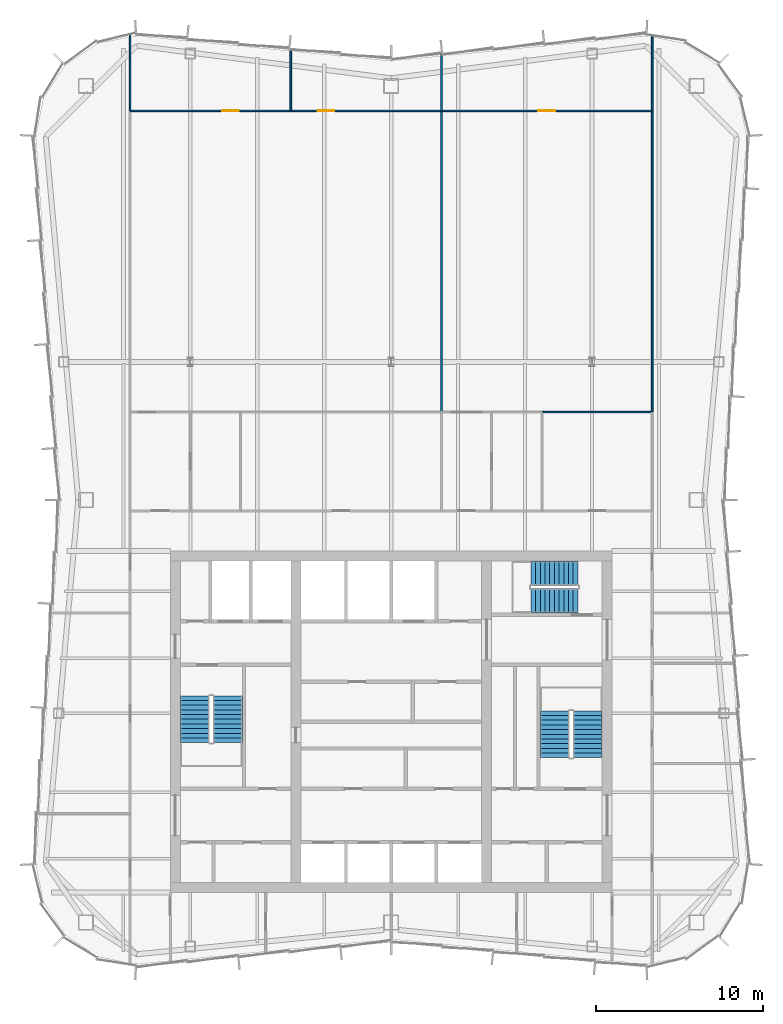
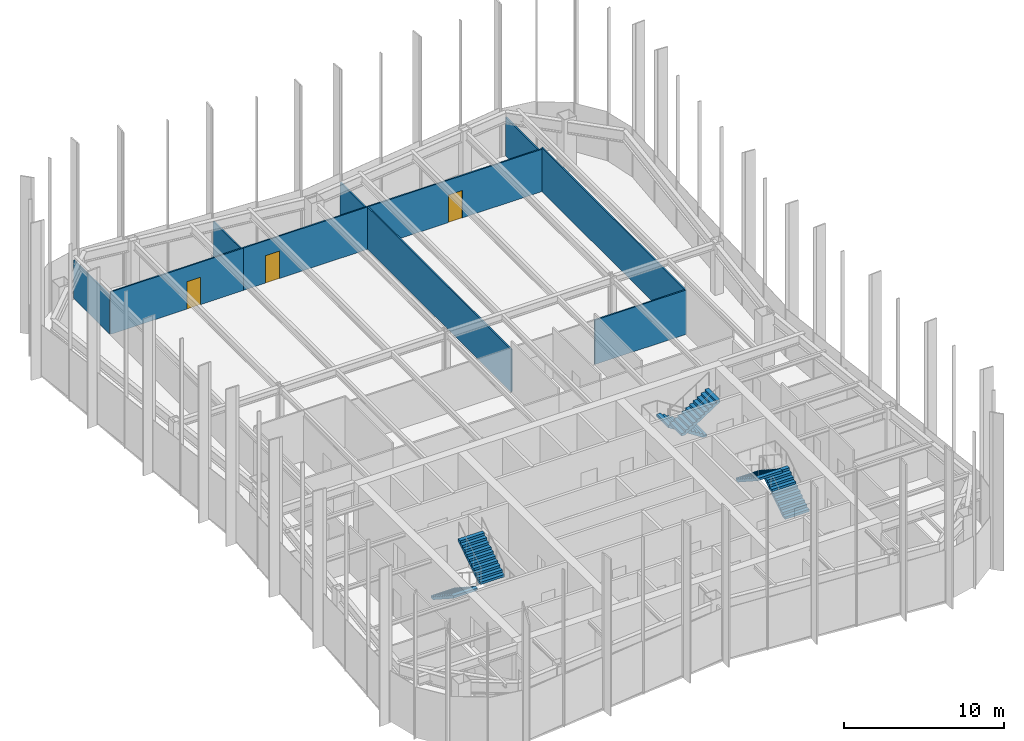
# One storey, part 12 of 13: 10 walls, 6 stair flights, 3 doors, 3 openings, 3 elements without a shape of their own.
"""IFC4 building model written with IfcOpenShell, lengths in metres."""

from ifc_helpers import new_model, si_unit, direction, frame, frame_2d, origin, place, context, subcontext, project, spatial, polyline, rectangle, outline, extrude, material, layer, layer_set, type_object, element, fill, aggregate, save


model = new_model("IFC4")

# Units and contexts
model_context = context("Model", 3, precision=1e-05, world=origin(), true_north=direction((0.0, 1.0)))
body_context = subcontext(model_context, "Body", "Model", "MODEL_VIEW")
ifc_project = project(units=[si_unit("LENGTHUNIT", "METRE"), si_unit("AREAUNIT", "SQUARE_METRE"), si_unit("VOLUMEUNIT", "CUBIC_METRE"), si_unit("PLANEANGLEUNIT", "RADIAN"), si_unit("MASSUNIT", "GRAM", prefix="KILO")], contexts=[model_context])

# Site, building, storey
site_placement = place(None, origin())
site = spatial("IfcSite", under=ifc_project, at=site_placement, CompositionType="ELEMENT")
building_placement = place(site_placement, origin())
building = spatial("IfcBuilding", under=site, at=building_placement, Name="Verdant Reach Tower", CompositionType="ELEMENT")
storey_placement = place(building_placement, frame((0.0, 0.0, 294.0)))
storey = spatial("IfcBuildingStorey", under=building, at=storey_placement, Name="L67", CompositionType="ELEMENT", Elevation=294.0)

# Walls
ifc_material_1 = material(Name="Gypsum board on steel studs", Category="steel")
ifc_layer = layer(ifc_material_1, 0.10009765625)
ifc_layer_set = layer_set([ifc_layer], Name="FL-W1 Partition 100")
wall_type = type_object("IfcWallType", Name="FL-W1 Partition 100", PredefinedType="PARTITIONING", material=ifc_layer_set)
wall_1_placement = place(storey_placement, frame((-15.60009765625, 64.5, 0.0), z_axis=(0.0, 0.0, 1.0), x_axis=(0.0, 1.0, 0.0)))
element("IfcWall", 1, at=wall_1_placement, inside=storey, type_object=wall_type, Name="Partition 67.21", PredefinedType="PARTITIONING", context=body_context, shape_type="SweptSolid", body=[
    extrude(rectangle(XDim=4.510498046875, YDim=0.10009765625, at=frame_2d((2.25537109375, 0.0))), origin(), (0.0, 0.0, 1.0), 2.929931640625),
])
wall_2_placement = place(storey_placement, frame((15.60009765625, 64.5, 0.0), z_axis=(0.0, 0.0, 1.0), x_axis=(0.0, -1.0, 0.0)))
element("IfcWall", 2, at=wall_2_placement, inside=storey, type_object=wall_type, Name="Partition 67.27", PredefinedType="PARTITIONING", context=body_context, shape_type="SweptSolid", body=[
    extrude(rectangle(XDim=18.0, YDim=0.10009765625, at=frame_2d((9.0, 0.0))), origin(), (0.0, 0.0, 1.0), 3.35009765625),
])
wall_3_placement = place(storey_placement, frame((15.60009765625, 69.010498046875, 0.0), z_axis=(0.0, 0.0, 1.0), x_axis=(0.0, -1.0, 0.0)))
element("IfcWall", 3, at=wall_3_placement, inside=storey, type_object=wall_type, Name="Partition 67.28", PredefinedType="PARTITIONING", context=body_context, shape_type="SweptSolid", body=[
    extrude(rectangle(XDim=4.510498046875, YDim=0.10009765625, at=frame_2d((2.25537109375, 0.0))), origin(), (0.0, 0.0, 1.0), 2.929931640625),
])

# Wall, opening, door
wall_4_placement = place(storey_placement, frame((-15.60009765625, 64.5, 0.0), z_axis=(0.0, 0.0, 1.0), x_axis=(1.0, 0.0, 0.0)))
wall_4 = element("IfcWall", 4, at=wall_4_placement, inside=storey, type_object=wall_type, Name="Partition 67.38", PredefinedType="PARTITIONING", context=body_context, shape_type="SweptSolid", body=[
    extrude(rectangle(XDim=9.60009765625, YDim=0.10009765625, at=frame_2d((4.800048828125, 0.0))), origin(), (0.0, 0.0, 1.0), 3.239990234375),
])
opening_1_placement = place(wall_4_placement, frame((5.5, 0.0, 0.0)))
opening_1 = element("IfcOpeningElement", 5, at=opening_1_placement, cuts=wall_4, Name="Opening D3", PredefinedType="OPENING", context=body_context, shape_type="SweptSolid", body=[
    extrude(rectangle(XDim=1.0, YDim=2.10009765625, at=frame_2d((0.5, 1.050048828125))), frame((0.0, 0.06005859375, 0.0), z_axis=(0.0, -1.0, 0.0), x_axis=(1.0, 0.0, 0.0)), (0.0, 0.0, 1.0), 0.1201171875),
])
ifc_material_2 = material(Name="Painted timber door leaf", Category="wood")
door_type = type_object("IfcDoorType", Name="FL-D3 Door 1000x2100", OperationType="NOTDEFINED", PredefinedType="DOOR", material=ifc_material_2)
door_1_placement = place(opening_1_placement, origin())
door_1 = element("IfcDoor", 6, at=door_1_placement, inside=storey, type_object=door_type, Name="Door 67-019", OperationType="SINGLE_SWING_RIGHT", OverallHeight=2.10009765625, OverallWidth=1.0, PredefinedType="DOOR", context=body_context, shape_type="SweptSolid", body=[
    extrude(rectangle(XDim=1.0, YDim=2.10009765625, at=frame_2d((0.5, 1.050048828125))), frame((0.0, 0.02490234375, 0.0), z_axis=(0.0, -1.0, 0.0), x_axis=(1.0, 0.0, 0.0)), (0.0, 0.0, 1.0), 0.050048828125),
])
fill(opening_1, door_1)

wall_5_placement = place(storey_placement, frame((-6.0, 64.5, 0.0), z_axis=(0.0, 0.0, 1.0), x_axis=(1.0, 0.0, 0.0)))
wall_5 = element("IfcWall", 7, at=wall_5_placement, inside=storey, type_object=wall_type, Name="Partition 67.39", PredefinedType="PARTITIONING", context=body_context, shape_type="SweptSolid", body=[
    extrude(rectangle(XDim=9.0, YDim=0.10009765625, at=frame_2d((4.5, 0.0))), origin(), (0.0, 0.0, 1.0), 3.239990234375),
])
opening_2_placement = place(wall_5_placement, frame((1.60009765625, 0.0, 0.0)))
opening_2 = element("IfcOpeningElement", 8, at=opening_2_placement, cuts=wall_5, Name="Opening D3", PredefinedType="OPENING", context=body_context, shape_type="SweptSolid", body=[
    extrude(rectangle(XDim=1.0, YDim=2.10009765625, at=frame_2d((0.5, 1.050048828125))), frame((0.0, 0.06005859375, 0.0), z_axis=(0.0, -1.0, 0.0), x_axis=(1.0, 0.0, 0.0)), (0.0, 0.0, 1.0), 0.1201171875),
])
door_2_placement = place(opening_2_placement, origin())
door_2 = element("IfcDoor", 9, at=door_2_placement, inside=storey, type_object=door_type, Name="Door 67-020", OperationType="SINGLE_SWING_LEFT", OverallHeight=2.10009765625, OverallWidth=1.0, PredefinedType="DOOR", context=body_context, shape_type="SweptSolid", body=[
    extrude(rectangle(XDim=1.0, YDim=2.10009765625, at=frame_2d((0.5, 1.050048828125))), frame((0.0, 0.02490234375, 0.0), z_axis=(0.0, -1.0, 0.0), x_axis=(1.0, 0.0, 0.0)), (0.0, 0.0, 1.0), 0.050048828125),
])
fill(opening_2, door_2)

# Walls
wall_6_placement = place(storey_placement, frame((3.0, 46.5, 0.0), z_axis=(0.0, 0.0, 1.0), x_axis=(0.0, 1.0, 0.0)))
element("IfcWall", 10, at=wall_6_placement, inside=storey, type_object=wall_type, Name="Partition 67.40", PredefinedType="PARTITIONING", context=body_context, shape_type="SweptSolid", body=[
    extrude(rectangle(XDim=18.0, YDim=0.10009765625, at=frame_2d((9.0, 0.0))), origin(), (0.0, 0.0, 1.0), 3.239990234375),
])
wall_7_placement = place(storey_placement, frame((-6.0, 64.5, 0.0), z_axis=(0.0, 0.0, 1.0), x_axis=(0.0, 1.0, 0.0)))
element("IfcWall", 11, at=wall_7_placement, inside=storey, type_object=wall_type, Name="Partition 67.41", PredefinedType="PARTITIONING", context=body_context, shape_type="SweptSolid", body=[
    extrude(rectangle(XDim=3.670166015625, YDim=0.10009765625, at=frame_2d((1.8349609375, 0.0))), origin(), (0.0, 0.0, 1.0), 3.0400390625),
])
wall_8_placement = place(storey_placement, frame((3.0, 64.5, 0.0), z_axis=(0.0, 0.0, 1.0), x_axis=(0.0, 1.0, 0.0)))
element("IfcWall", 12, at=wall_8_placement, inside=storey, type_object=wall_type, Name="Partition 67.42", PredefinedType="PARTITIONING", context=body_context, shape_type="SweptSolid", body=[
    extrude(rectangle(XDim=3.375, YDim=0.10009765625, at=frame_2d((1.6875, 0.0))), origin(), (0.0, 0.0, 1.0), 3.0400390625),
])
wall_9_placement = place(storey_placement, frame((15.60009765625, 46.5, 0.0), z_axis=(0.0, 0.0, 1.0), x_axis=(-1.0, 0.0, 0.0)))
element("IfcWall", 13, at=wall_9_placement, inside=storey, type_object=wall_type, Name="Partition 67.47", PredefinedType="PARTITIONING", context=body_context, shape_type="SweptSolid", body=[
    extrude(rectangle(XDim=6.60400390625, YDim=0.10009765625, at=frame_2d((3.302001953125, 0.0))), origin(), (0.0, 0.0, 1.0), 3.389892578125),
])

# Wall, opening, door
wall_10_placement = place(storey_placement, frame((3.0, 64.5, 0.0), z_axis=(0.0, 0.0, 1.0), x_axis=(1.0, 0.0, 0.0)))
wall_10 = element("IfcWall", 14, at=wall_10_placement, inside=storey, type_object=wall_type, Name="Partition 67.48", PredefinedType="PARTITIONING", context=body_context, shape_type="SweptSolid", body=[
    extrude(rectangle(XDim=12.60009765625, YDim=0.10009765625, at=frame_2d((6.300048828125, 0.0))), origin(), (0.0, 0.0, 1.0), 3.239990234375),
])
opening_3_placement = place(wall_10_placement, frame((5.800048828125, 0.0, 0.0)))
opening_3 = element("IfcOpeningElement", 15, at=opening_3_placement, cuts=wall_10, Name="Opening D3", PredefinedType="OPENING", context=body_context, shape_type="SweptSolid", body=[
    extrude(rectangle(XDim=1.0, YDim=2.10009765625, at=frame_2d((0.5, 1.050048828125))), frame((0.0, 0.06005859375, 0.0), z_axis=(0.0, -1.0, 0.0), x_axis=(1.0, 0.0, 0.0)), (0.0, 0.0, 1.0), 0.1201171875),
])
door_3_placement = place(opening_3_placement, origin())
door_3 = element("IfcDoor", 16, at=door_3_placement, inside=storey, type_object=door_type, Name="Door 67-023", OperationType="SINGLE_SWING_LEFT", OverallHeight=2.10009765625, OverallWidth=1.0, PredefinedType="DOOR", context=body_context, shape_type="SweptSolid", body=[
    extrude(rectangle(XDim=1.0, YDim=2.10009765625, at=frame_2d((0.5, 1.050048828125))), frame((0.0, 0.02490234375, 0.0), z_axis=(0.0, -1.0, 0.0), x_axis=(1.0, 0.0, 0.0)), (0.0, 0.0, 1.0), 0.050048828125),
])
fill(opening_3, door_3)

# Stair, stair flights
ifc_material_3 = material(Name="Concrete C40/50", Category="concrete")
stair_type = type_object("IfcStairType", Name="CO-STAIR", PredefinedType="HALF_TURN_STAIR", material=ifc_material_3)
stair_1_placement = place(storey_placement, origin())
stair_1 = element("IfcStair", 17, at=stair_1_placement, inside=storey, type_object=stair_type, Name="L67 Exit stair 1", PredefinedType="HALF_TURN_STAIR")
stair_flight_type = type_object("IfcStairFlightType", Name="CO-STAIR-FLIGHT", PredefinedType="STRAIGHT", material=ifc_material_3)
stair_flight_1_placement = place(storey_placement, frame((-11.72509765625, 29.550048828125, 0.0), z_axis=(0.0, 0.0, 1.0), x_axis=(0.0, -1.0, 0.0)))
stair_flight_1 = element("IfcStairFlight", 18, at=stair_flight_1_placement, type_object=stair_flight_type, Name="ST-1 flight 1", NumberOfRisers=11, NumberOfTreads=10, PredefinedType="STRAIGHT", RiserHeight=0.181818182, TreadLength=0.28, context=body_context, shape_type="SweptSolid", body=[
    extrude(outline(polyline([(0.0, 0.0), (0.0, 0.181884765625), (0.280029296875, 0.181884765625), (0.280029296875, 0.363525390625), (0.56005859375, 0.363525390625), (0.56005859375, 0.54541015625), (0.840087890625, 0.54541015625), (0.840087890625, 0.727294921875), (1.1201171875, 0.727294921875), (1.1201171875, 0.9091796875), (1.39990234375, 0.9091796875), (1.39990234375, 1.0908203125), (1.679931640625, 1.0908203125), (1.679931640625, 1.272705078125), (1.9599609375, 1.272705078125), (1.9599609375, 1.45458984375), (2.239990234375, 1.45458984375), (2.239990234375, 1.636474609375), (2.52001953125, 1.636474609375), (2.52001953125, 1.818115234375), (2.800048828125, 1.818115234375), (2.800048828125, 2.0), (2.800048828125, 1.639404296875), (0.275146484375, 0.0), (0.0, 0.0)])), frame((0.0, 0.875, 0.0), z_axis=(0.0, -1.0, 0.0), x_axis=(1.0, 0.0, 0.0)), (0.0, 0.0, 1.0), 1.75),
])
stair_flight_2_placement = place(storey_placement, frame((-9.77490234375, 26.75, 2.0), z_axis=(0.0, 0.0, 1.0), x_axis=(0.0, 1.0, 0.0)))
stair_flight_2 = element("IfcStairFlight", 19, at=stair_flight_2_placement, type_object=stair_flight_type, Name="ST-1 flight 2", NumberOfRisers=11, NumberOfTreads=10, PredefinedType="STRAIGHT", RiserHeight=0.181818182, TreadLength=0.28, context=body_context, shape_type="SweptSolid", body=[
    extrude(outline(polyline([(0.0, 0.0), (0.0, 0.181884765625), (0.280029296875, 0.181884765625), (0.280029296875, 0.363525390625), (0.56005859375, 0.363525390625), (0.56005859375, 0.54541015625), (0.840087890625, 0.54541015625), (0.840087890625, 0.727294921875), (1.1201171875, 0.727294921875), (1.1201171875, 0.9091796875), (1.39990234375, 0.9091796875), (1.39990234375, 1.0908203125), (1.679931640625, 1.0908203125), (1.679931640625, 1.272705078125), (1.9599609375, 1.272705078125), (1.9599609375, 1.45458984375), (2.239990234375, 1.45458984375), (2.239990234375, 1.636474609375), (2.52001953125, 1.636474609375), (2.52001953125, 1.818115234375), (2.800048828125, 1.818115234375), (2.800048828125, 2.0), (2.800048828125, 1.639404296875), (0.275146484375, 0.0), (0.0, 0.0)])), frame((0.0, 0.875, 0.0), z_axis=(0.0, -1.0, 0.0), x_axis=(1.0, 0.0, 0.0)), (0.0, 0.0, 1.0), 1.75),
])
aggregate(stair_1, [stair_flight_1, stair_flight_2])

stair_2_placement = place(storey_placement, origin())
stair_2 = element("IfcStair", 20, at=stair_2_placement, inside=storey, type_object=stair_type, Name="L67 Exit stair 2", PredefinedType="HALF_TURN_STAIR")
stair_flight_3_placement = place(storey_placement, frame((11.72509765625, 25.85009765625, 0.0), z_axis=(0.0, 0.0, 1.0), x_axis=(0.0, 1.0, 0.0)))
stair_flight_3 = element("IfcStairFlight", 21, at=stair_flight_3_placement, type_object=stair_flight_type, Name="ST-2 flight 1", NumberOfRisers=11, NumberOfTreads=10, PredefinedType="STRAIGHT", RiserHeight=0.181818182, TreadLength=0.28, context=body_context, shape_type="SweptSolid", body=[
    extrude(outline(polyline([(0.0, 0.0), (0.0, 0.181884765625), (0.280029296875, 0.181884765625), (0.280029296875, 0.363525390625), (0.56005859375, 0.363525390625), (0.56005859375, 0.54541015625), (0.840087890625, 0.54541015625), (0.840087890625, 0.727294921875), (1.1201171875, 0.727294921875), (1.1201171875, 0.9091796875), (1.39990234375, 0.9091796875), (1.39990234375, 1.0908203125), (1.679931640625, 1.0908203125), (1.679931640625, 1.272705078125), (1.9599609375, 1.272705078125), (1.9599609375, 1.45458984375), (2.239990234375, 1.45458984375), (2.239990234375, 1.636474609375), (2.52001953125, 1.636474609375), (2.52001953125, 1.818115234375), (2.800048828125, 1.818115234375), (2.800048828125, 2.0), (2.800048828125, 1.639404296875), (0.275146484375, 0.0), (0.0, 0.0)])), frame((0.0, 0.875, 0.0), z_axis=(0.0, -1.0, 0.0), x_axis=(1.0, 0.0, 0.0)), (0.0, 0.0, 1.0), 1.75),
])
stair_flight_4_placement = place(storey_placement, frame((9.77490234375, 28.64990234375, 2.0), z_axis=(0.0, 0.0, 1.0), x_axis=(0.0, -1.0, 0.0)))
stair_flight_4 = element("IfcStairFlight", 22, at=stair_flight_4_placement, type_object=stair_flight_type, Name="ST-2 flight 2", NumberOfRisers=11, NumberOfTreads=10, PredefinedType="STRAIGHT", RiserHeight=0.181818182, TreadLength=0.28, context=body_context, shape_type="SweptSolid", body=[
    extrude(outline(polyline([(0.0, 0.0), (0.0, 0.181884765625), (0.280029296875, 0.181884765625), (0.280029296875, 0.363525390625), (0.56005859375, 0.363525390625), (0.56005859375, 0.54541015625), (0.840087890625, 0.54541015625), (0.840087890625, 0.727294921875), (1.1201171875, 0.727294921875), (1.1201171875, 0.9091796875), (1.39990234375, 0.9091796875), (1.39990234375, 1.0908203125), (1.679931640625, 1.0908203125), (1.679931640625, 1.272705078125), (1.9599609375, 1.272705078125), (1.9599609375, 1.45458984375), (2.239990234375, 1.45458984375), (2.239990234375, 1.636474609375), (2.52001953125, 1.636474609375), (2.52001953125, 1.818115234375), (2.800048828125, 1.818115234375), (2.800048828125, 2.0), (2.800048828125, 1.639404296875), (0.275146484375, 0.0), (0.0, 0.0)])), frame((0.0, 0.875, 0.0), z_axis=(0.0, -1.0, 0.0), x_axis=(1.0, 0.0, 0.0)), (0.0, 0.0, 1.0), 1.75),
])
aggregate(stair_2, [stair_flight_3, stair_flight_4])

stair_3_placement = place(storey_placement, origin())
stair_3 = element("IfcStair", 23, at=stair_3_placement, inside=storey, type_object=stair_type, Name="L67 Exit stair 3", PredefinedType="HALF_TURN_STAIR")
stair_flight_5_placement = place(storey_placement, frame((11.14990234375, 36.875, 0.0), z_axis=(0.0, 0.0, 1.0), x_axis=(-1.0, 0.0, 0.0)))
stair_flight_5 = element("IfcStairFlight", 24, at=stair_flight_5_placement, type_object=stair_flight_type, Name="ST-3 flight 1", NumberOfRisers=11, NumberOfTreads=10, PredefinedType="STRAIGHT", RiserHeight=0.181818182, TreadLength=0.28, context=body_context, shape_type="SweptSolid", body=[
    extrude(outline(polyline([(0.0, 0.0), (0.0, 0.181884765625), (0.280029296875, 0.181884765625), (0.280029296875, 0.363525390625), (0.56005859375, 0.363525390625), (0.56005859375, 0.54541015625), (0.840087890625, 0.54541015625), (0.840087890625, 0.727294921875), (1.1201171875, 0.727294921875), (1.1201171875, 0.9091796875), (1.39990234375, 0.9091796875), (1.39990234375, 1.0908203125), (1.679931640625, 1.0908203125), (1.679931640625, 1.272705078125), (1.9599609375, 1.272705078125), (1.9599609375, 1.45458984375), (2.239990234375, 1.45458984375), (2.239990234375, 1.636474609375), (2.52001953125, 1.636474609375), (2.52001953125, 1.818115234375), (2.800048828125, 1.818115234375), (2.800048828125, 2.0), (2.800048828125, 1.639404296875), (0.275146484375, 0.0), (0.0, 0.0)])), frame((0.0, 0.72509765625, 0.0), z_axis=(0.0, -1.0, 0.0), x_axis=(1.0, 0.0, 0.0)), (0.0, 0.0, 1.0), 1.449951171875),
])
stair_flight_6_placement = place(storey_placement, frame((8.35009765625, 35.22509765625, 2.0), z_axis=(0.0, 0.0, 1.0), x_axis=(1.0, 0.0, 0.0)))
stair_flight_6 = element("IfcStairFlight", 25, at=stair_flight_6_placement, type_object=stair_flight_type, Name="ST-3 flight 2", NumberOfRisers=11, NumberOfTreads=10, PredefinedType="STRAIGHT", RiserHeight=0.181818182, TreadLength=0.28, context=body_context, shape_type="SweptSolid", body=[
    extrude(outline(polyline([(0.0, 0.0), (0.0, 0.181884765625), (0.280029296875, 0.181884765625), (0.280029296875, 0.363525390625), (0.56005859375, 0.363525390625), (0.56005859375, 0.54541015625), (0.840087890625, 0.54541015625), (0.840087890625, 0.727294921875), (1.1201171875, 0.727294921875), (1.1201171875, 0.9091796875), (1.39990234375, 0.9091796875), (1.39990234375, 1.0908203125), (1.679931640625, 1.0908203125), (1.679931640625, 1.272705078125), (1.9599609375, 1.272705078125), (1.9599609375, 1.45458984375), (2.239990234375, 1.45458984375), (2.239990234375, 1.636474609375), (2.52001953125, 1.636474609375), (2.52001953125, 1.818115234375), (2.800048828125, 1.818115234375), (2.800048828125, 2.0), (2.800048828125, 1.639404296875), (0.275146484375, 0.0), (0.0, 0.0)])), frame((0.0, 0.72509765625, 0.0), z_axis=(0.0, -1.0, 0.0), x_axis=(1.0, 0.0, 0.0)), (0.0, 0.0, 1.0), 1.449951171875),
])
aggregate(stair_3, [stair_flight_5, stair_flight_6])

save(model, "model.ifc")
